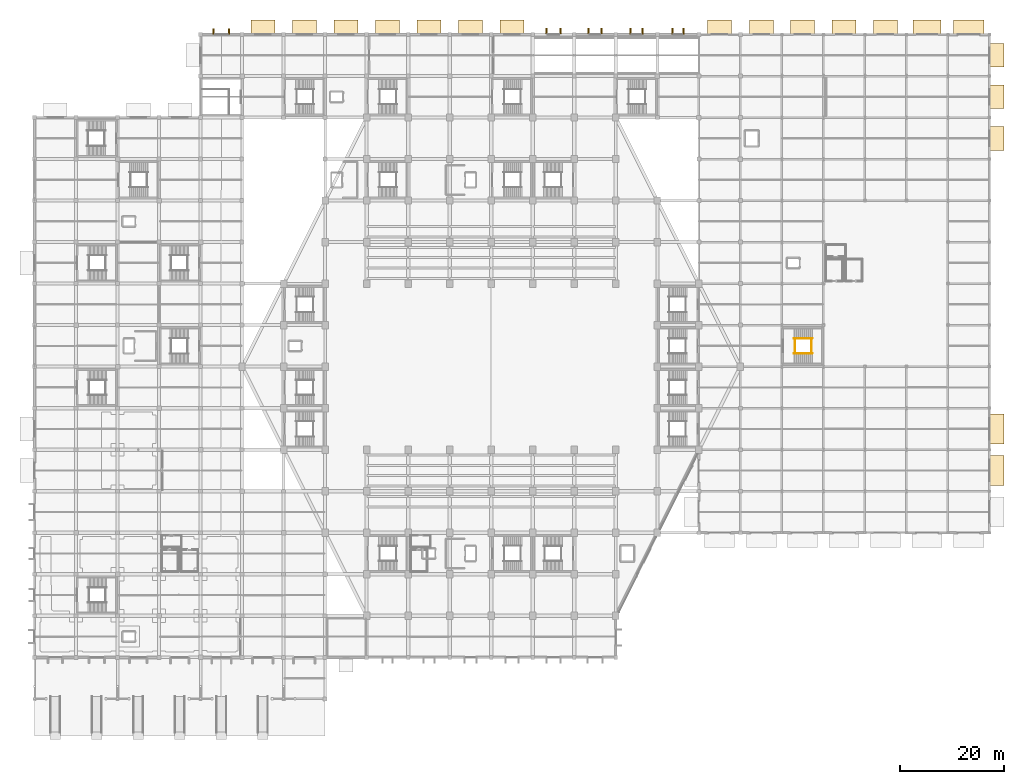
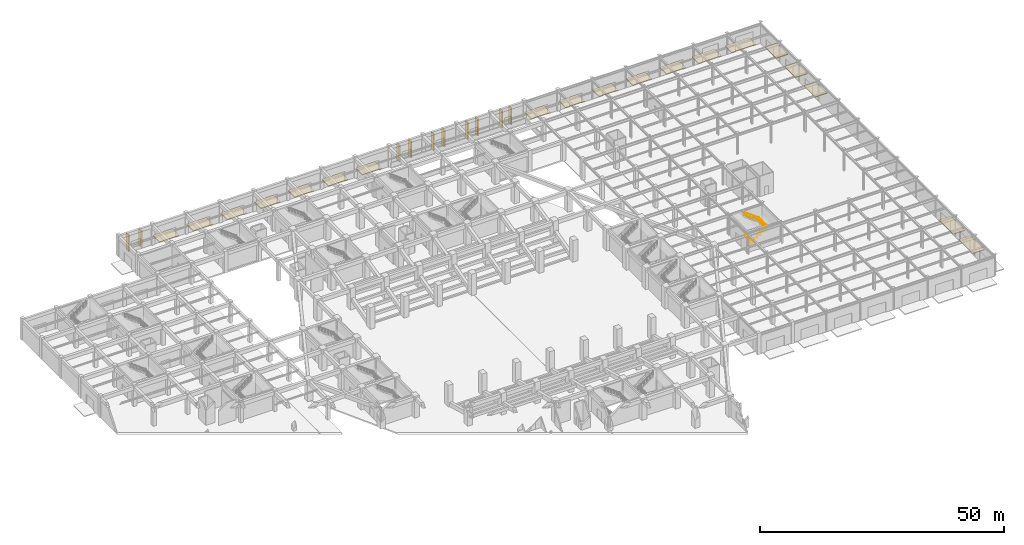
# One storey, part 39 of 39: 29 coverings, 4 railings.
"""IFC4 building model written with IfcOpenShell, lengths in metres."""

from ifc_helpers import new_model, si_unit, direction, frame, origin, origin_2d, place, context, subcontext, project, spatial, polyline, rectangle, circle, outline, extrude, material, layer, layer_set, type_object, element, save


model = new_model("IFC4")

# Units and contexts
model_context = context("Model", 3, precision=1e-05, world=origin(), true_north=direction((0.0, 1.0)))
body_context = subcontext(model_context, "Body", "Model", "MODEL_VIEW")
ifc_project = project(units=[si_unit("LENGTHUNIT", "METRE"), si_unit("AREAUNIT", "SQUARE_METRE"), si_unit("VOLUMEUNIT", "CUBIC_METRE"), si_unit("PLANEANGLEUNIT", "RADIAN"), si_unit("MASSUNIT", "GRAM", prefix="KILO")], contexts=[model_context])

# Site, building, storey
site_placement = place(None, origin())
site = spatial("IfcSite", under=ifc_project, at=site_placement, CompositionType="ELEMENT")
building_placement = place(site_placement, origin())
building = spatial("IfcBuilding", under=site, at=building_placement, Name="Tazarka Park Arena", CompositionType="ELEMENT")
storey_placement = place(building_placement, origin())
storey = spatial("IfcBuildingStorey", under=building, at=storey_placement, Name="L00", CompositionType="ELEMENT", Elevation=0.0)

# Coverings
ifc_material_1 = material(Name="Dark ribbed perforated bronze-charcoal aluminium mesh", Category="aluminium")
ifc_layer_1 = layer(ifc_material_1, 0.06005859375, Name="Dark ribbed perforated bronze-charcoal aluminium mesh")
ifc_layer_set_1 = layer_set([ifc_layer_1], Name="Dark ribbed perforated bronze-charcoal aluminium mesh")
covering_type_1 = type_object("IfcCoveringType", Name="CLD-01", PredefinedType="CLADDING", material=ifc_layer_set_1)
for number, where, z_axis, x_axis, name in (
    (1, (122.919921875, 128.635009765625, 0.0), (0.0, 0.0, 1.0), (1.0, 0.0, 0.0), "Window Reveal Brise-Soleil Fin L00-0001-1"),
    (2, (125.080078125, 128.635009765625, 0.0), (0.0, 0.0, 1.0), (1.0, 0.0, 0.0), "Window Reveal Brise-Soleil Fin L00-0001-2"),
    (3, (114.820068359375, 128.64501953125, 0.0), (0.0, 0.0, 1.0), (1.0, 0.0, 0.0), "Window Reveal Brise-Soleil Fin L00-0002-1"),
    (4, (117.179931640625, 128.64501953125, 0.0), (0.0, 0.0, 1.0), (1.0, 0.0, 0.0), "Window Reveal Brise-Soleil Fin L00-0002-2"),
    (5, (106.719970703125, 128.655029296875, 0.0), (0.0, 0.0, 1.0), (1.0, 0.0, 0.0), "Window Reveal Brise-Soleil Fin L00-0003-1"),
    (6, (109.280029296875, 128.655029296875, 0.0), (0.0, 0.0, 1.0), (1.0, 0.0, 0.0), "Window Reveal Brise-Soleil Fin L00-0003-2"),
    (7, (98.6201171875, 128.659912109375, 0.0), (0.0, 0.0, 1.0), (1.0, 0.0, 0.0), "Window Reveal Brise-Soleil Fin L00-0004-1"),
    (8, (101.3798828125, 128.659912109375, 0.0), (0.0, 0.0, 1.0), (1.0, 0.0, 0.0), "Window Reveal Brise-Soleil Fin L00-0004-2"),
    (9, (34.52001953125, 128.594970703125, 0.0), (0.0, 0.0, 1.0), (1.0, 0.0, 0.0), "Window Reveal Brise-Soleil Fin L00-0005-1"),
    (10, (37.47998046875, 128.594970703125, 0.0), (0.0, 0.0, 1.0), (1.0, 0.0, 0.0), "Window Reveal Brise-Soleil Fin L00-0005-2"),
):
    element("IfcCovering", number, at=place(storey_placement, frame(where, z_axis=z_axis, x_axis=x_axis)), inside=storey, type_object=covering_type_1, Name=name, PredefinedType="CLADDING", context=body_context, shape_type="SweptSolid", body=[
        extrude(rectangle(XDim=0.280029296875, YDim=1.10009765625, at=origin_2d()), origin(), (0.0, 0.0, 1.0), 4.199951171875),
    ])

# Railings
ifc_material_2 = material(Name="Brushed architectural stainless steel", Category="steel")
railing_type_1 = type_object("IfcRailingType", Name="HR-01", PredefinedType="HANDRAIL", material=ifc_material_2)
railing_1_placement = place(storey_placement, frame((146.31494140625, 66.550048828125, 0.0)))
element("IfcRailing", 11, at=railing_1_placement, inside=storey, type_object=railing_type_1, Name="Stair Handrail ST18-L00-F1", PredefinedType="HANDRAIL", context=body_context, shape_type="SweptSolid", body=[
    extrude(circle(Radius=0.02392578125, at=origin_2d()), frame((0.0, 0.0, 0.89599609375), z_axis=(0.797591487339, 0.0, 0.603197993468), x_axis=(0.0, 1.0, 0.0)), (0.0, 0.0, 1.0), 4.47607421875),
    extrude(circle(Radius=0.02099609375, at=origin_2d()), origin(), (0.0, 0.0, 1.0), 0.871826171875),
    extrude(circle(Radius=0.02099609375, at=origin_2d()), frame((0.714111328125, 0.0, 0.5400390625)), (0.0, 0.0, 1.0), 0.871826171875),
    extrude(circle(Radius=0.02099609375, at=origin_2d()), frame((1.427978515625, 0.0, 1.080078125)), (0.0, 0.0, 1.0), 0.871826171875),
    extrude(circle(Radius=0.02099609375, at=origin_2d()), frame((2.14208984375, 0.0, 1.619873046875)), (0.0, 0.0, 1.0), 0.871826171875),
    extrude(circle(Radius=0.02099609375, at=origin_2d()), frame((2.85595703125, 0.0, 2.159912109375)), (0.0, 0.0, 1.0), 0.871826171875),
    extrude(circle(Radius=0.02099609375, at=origin_2d()), frame((3.570068359375, 0.0, 2.699951171875)), (0.0, 0.0, 1.0), 0.871826171875),
])
railing_2_placement = place(storey_placement, frame((149.885009765625, 69.449951171875, 2.699951171875)))
element("IfcRailing", 12, at=railing_2_placement, inside=storey, type_object=railing_type_1, Name="Stair Handrail ST18-L00-F2", PredefinedType="HANDRAIL", context=body_context, shape_type="SweptSolid", body=[
    extrude(circle(Radius=0.02392578125, at=origin_2d()), frame((0.0, 0.0, 0.89599609375), z_axis=(-0.797591487339, 0.0, 0.603197993468), x_axis=(0.0, -1.0, 0.0)), (0.0, 0.0, 1.0), 4.47607421875),
    extrude(circle(Radius=0.02099609375, at=origin_2d()), origin(), (0.0, 0.0, 1.0), 0.871826171875),
    extrude(circle(Radius=0.02099609375, at=origin_2d()), frame((-0.714111328125, 0.0, 0.5400390625)), (0.0, 0.0, 1.0), 0.871826171875),
    extrude(circle(Radius=0.02099609375, at=origin_2d()), frame((-1.427978515625, 0.0, 1.080078125)), (0.0, 0.0, 1.0), 0.871826171875),
    extrude(circle(Radius=0.02099609375, at=origin_2d()), frame((-2.14208984375, 0.0, 1.619873046875)), (0.0, 0.0, 1.0), 0.871826171875),
    extrude(circle(Radius=0.02099609375, at=origin_2d()), frame((-2.85595703125, 0.0, 2.159912109375)), (0.0, 0.0, 1.0), 0.871826171875),
    extrude(circle(Radius=0.02099609375, at=origin_2d()), frame((-3.570068359375, 0.0, 2.699951171875)), (0.0, 0.0, 1.0), 0.871826171875),
])
ifc_material_3 = material(Name="Galvanised powder-coated architectural steel", Category="steel")
railing_type_2 = type_object("IfcRailingType", Name="IGR-01", PredefinedType="GUARDRAIL", material=ifc_material_3)
for number, where, name in (
    (13, (146.514892578125, 66.550048828125, 0.0), "Stair Well Guardrail ST18-L00"),
    (14, (149.68505859375, 66.550048828125, 2.699951171875), "Landing Guardrail ST18-L00-M"),
):
    element("IfcRailing", number, at=place(storey_placement, frame(where)), inside=storey, type_object=railing_type_2, Name=name, PredefinedType="GUARDRAIL", context=body_context, shape_type="SweptSolid", body=[
        extrude(circle(Radius=0.02392578125, at=origin_2d()), frame((0.0, 0.0, 1.1259765625), z_axis=(0.0, 1.0, 0.0), x_axis=(-1.0, 0.0, 0.0)), (0.0, 0.0, 1.0), 2.89990234375),
        extrude(circle(Radius=0.02099609375, at=origin_2d()), origin(), (0.0, 0.0, 1.0), 1.101806640625),
        extrude(circle(Radius=0.02099609375, at=origin_2d()), frame((0.0, 0.72509765625, 0.0)), (0.0, 0.0, 1.0), 1.101806640625),
        extrude(circle(Radius=0.02099609375, at=origin_2d()), frame((0.0, 1.449951171875, 0.0)), (0.0, 0.0, 1.0), 1.101806640625),
        extrude(circle(Radius=0.02099609375, at=origin_2d()), frame((0.0, 2.1748046875, 0.0)), (0.0, 0.0, 1.0), 1.101806640625),
        extrude(circle(Radius=0.02099609375, at=origin_2d()), frame((0.0, 2.89990234375, 0.0)), (0.0, 0.0, 1.0), 1.101806640625),
    ])

# Coverings
ifc_material_4 = material(Name="Standing-seam acoustic aluminium roofing membrane", Category="aluminium")
ifc_layer_2 = layer(ifc_material_4, 0.050048828125, Name="Standing-seam acoustic aluminium roofing membrane")
ifc_layer_set_2 = layer_set([ifc_layer_2], Name="Standing-seam acoustic aluminium roofing membrane")
covering_type_2 = type_object("IfcCoveringType", Name="RFG-01", PredefinedType="ROOFING", material=ifc_layer_set_2)
covering_1_placement = place(storey_placement, frame((0.0, 0.0, -0.199951171875)))
element("IfcCovering", 15, at=covering_1_placement, inside=storey, type_object=covering_type_2, Name="Threshold Paving E11", PredefinedType="ROOFING", context=body_context, shape_type="SweptSolid", body=[
    extrude(outline(polyline([(186.800048828125, 46.89990234375), (186.800048828125, 41.10009765625), (184.02001953125, 41.10009765625), (184.02001953125, 46.89990234375), (186.800048828125, 46.89990234375)])), origin(), (0.0, 0.0, 1.0), 0.199951171875),
])
covering_2_placement = place(storey_placement, frame((0.0, 0.0, -0.199951171875)))
element("IfcCovering", 16, at=covering_2_placement, inside=storey, type_object=covering_type_2, Name="Threshold Paving E12", PredefinedType="ROOFING", context=body_context, shape_type="SweptSolid", body=[
    extrude(outline(polyline([(186.800048828125, 54.89990234375), (186.800048828125, 49.10009765625), (184.02001953125, 49.10009765625), (184.02001953125, 54.89990234375), (186.800048828125, 54.89990234375)])), origin(), (0.0, 0.0, 1.0), 0.199951171875),
])
covering_3_placement = place(storey_placement, frame((0.0, 0.0, -0.199951171875)))
element("IfcCovering", 17, at=covering_3_placement, inside=storey, type_object=covering_type_2, Name="Threshold Paving G01", PredefinedType="ROOFING", context=body_context, shape_type="SweptSolid", body=[
    extrude(outline(polyline([(186.800048828125, 110.300048828125), (186.800048828125, 105.699951171875), (184.02001953125, 105.699951171875), (184.02001953125, 110.300048828125), (186.800048828125, 110.300048828125)])), origin(), (0.0, 0.0, 1.0), 0.199951171875),
])
covering_4_placement = place(storey_placement, frame((0.0, 0.0, -0.199951171875)))
element("IfcCovering", 18, at=covering_4_placement, inside=storey, type_object=covering_type_2, Name="Threshold Paving G02", PredefinedType="ROOFING", context=body_context, shape_type="SweptSolid", body=[
    extrude(outline(polyline([(186.800048828125, 118.300048828125), (186.800048828125, 113.699951171875), (184.02001953125, 113.699951171875), (184.02001953125, 118.300048828125), (186.800048828125, 118.300048828125)])), origin(), (0.0, 0.0, 1.0), 0.199951171875),
])
covering_5_placement = place(storey_placement, frame((0.0, 0.0, -0.199951171875)))
element("IfcCovering", 19, at=covering_5_placement, inside=storey, type_object=covering_type_2, Name="Threshold Paving G03", PredefinedType="ROOFING", context=body_context, shape_type="SweptSolid", body=[
    extrude(outline(polyline([(186.800048828125, 126.300048828125), (186.800048828125, 121.699951171875), (184.02001953125, 121.699951171875), (184.02001953125, 126.300048828125), (186.800048828125, 126.300048828125)])), origin(), (0.0, 0.0, 1.0), 0.199951171875),
])
covering_6_placement = place(storey_placement, frame((0.0, 0.0, -0.199951171875)))
element("IfcCovering", 20, at=covering_6_placement, inside=storey, type_object=covering_type_2, Name="Threshold Paving VS-DOCK-01", PredefinedType="ROOFING", context=body_context, shape_type="SweptSolid", body=[
    extrude(outline(polyline([(177.10009765625, 130.800048828125), (182.89990234375, 130.800048828125), (182.89990234375, 128.02001953125), (177.10009765625, 128.02001953125), (177.10009765625, 130.800048828125)])), origin(), (0.0, 0.0, 1.0), 0.199951171875),
])
covering_7_placement = place(storey_placement, frame((0.0, 0.0, -0.199951171875)))
element("IfcCovering", 21, at=covering_7_placement, inside=storey, type_object=covering_type_2, Name="Threshold Paving VS-DOCK-02", PredefinedType="ROOFING", context=body_context, shape_type="SweptSolid", body=[
    extrude(outline(polyline([(169.300048828125, 130.800048828125), (174.699951171875, 130.800048828125), (174.699951171875, 128.02001953125), (169.300048828125, 128.02001953125), (169.300048828125, 130.800048828125)])), origin(), (0.0, 0.0, 1.0), 0.199951171875),
])
covering_8_placement = place(storey_placement, frame((0.0, 0.0, -0.199951171875)))
element("IfcCovering", 22, at=covering_8_placement, inside=storey, type_object=covering_type_2, Name="Threshold Paving G04", PredefinedType="ROOFING", context=body_context, shape_type="SweptSolid", body=[
    extrude(outline(polyline([(161.699951171875, 130.800048828125), (166.300048828125, 130.800048828125), (166.300048828125, 128.02001953125), (161.699951171875, 128.02001953125), (161.699951171875, 130.800048828125)])), origin(), (0.0, 0.0, 1.0), 0.199951171875),
])
covering_9_placement = place(storey_placement, frame((0.0, 0.0, -0.199951171875)))
element("IfcCovering", 23, at=covering_9_placement, inside=storey, type_object=covering_type_2, Name="Threshold Paving G05", PredefinedType="ROOFING", context=body_context, shape_type="SweptSolid", body=[
    extrude(outline(polyline([(153.699951171875, 130.800048828125), (158.300048828125, 130.800048828125), (158.300048828125, 128.02001953125), (153.699951171875, 128.02001953125), (153.699951171875, 130.800048828125)])), origin(), (0.0, 0.0, 1.0), 0.199951171875),
])
covering_10_placement = place(storey_placement, frame((0.0, 0.0, -0.199951171875)))
element("IfcCovering", 24, at=covering_10_placement, inside=storey, type_object=covering_type_2, Name="Threshold Paving G06", PredefinedType="ROOFING", context=body_context, shape_type="SweptSolid", body=[
    extrude(outline(polyline([(145.699951171875, 130.800048828125), (150.300048828125, 130.800048828125), (150.300048828125, 128.02001953125), (145.699951171875, 128.02001953125), (145.699951171875, 130.800048828125)])), origin(), (0.0, 0.0, 1.0), 0.199951171875),
])
covering_11_placement = place(storey_placement, frame((0.0, 0.0, -0.199951171875)))
element("IfcCovering", 25, at=covering_11_placement, inside=storey, type_object=covering_type_2, Name="Threshold Paving G07", PredefinedType="ROOFING", context=body_context, shape_type="SweptSolid", body=[
    extrude(outline(polyline([(137.785888671875, 130.800048828125), (142.385986328125, 130.800048828125), (142.385986328125, 128.02001953125), (137.785888671875, 128.02001953125), (137.785888671875, 130.800048828125)])), origin(), (0.0, 0.0, 1.0), 0.199951171875),
])
covering_12_placement = place(storey_placement, frame((0.0, 0.0, -0.199951171875)))
element("IfcCovering", 26, at=covering_12_placement, inside=storey, type_object=covering_type_2, Name="Threshold Paving G08", PredefinedType="ROOFING", context=body_context, shape_type="SweptSolid", body=[
    extrude(outline(polyline([(129.699951171875, 130.800048828125), (134.300048828125, 130.800048828125), (134.300048828125, 128.02001953125), (129.699951171875, 128.02001953125), (129.699951171875, 130.800048828125)])), origin(), (0.0, 0.0, 1.0), 0.199951171875),
])
covering_13_placement = place(storey_placement, frame((0.0, 0.0, -0.199951171875)))
element("IfcCovering", 27, at=covering_13_placement, inside=storey, type_object=covering_type_2, Name="Threshold Paving G09", PredefinedType="ROOFING", context=body_context, shape_type="SweptSolid", body=[
    extrude(outline(polyline([(89.699951171875, 130.800048828125), (94.300048828125, 130.800048828125), (94.300048828125, 128.02001953125), (89.699951171875, 128.02001953125), (89.699951171875, 130.800048828125)])), origin(), (0.0, 0.0, 1.0), 0.199951171875),
])
covering_14_placement = place(storey_placement, frame((0.0, 0.0, -0.199951171875)))
element("IfcCovering", 28, at=covering_14_placement, inside=storey, type_object=covering_type_2, Name="Threshold Paving G10", PredefinedType="ROOFING", context=body_context, shape_type="SweptSolid", body=[
    extrude(outline(polyline([(81.699951171875, 130.800048828125), (86.300048828125, 130.800048828125), (86.300048828125, 128.02001953125), (81.699951171875, 128.02001953125), (81.699951171875, 130.800048828125)])), origin(), (0.0, 0.0, 1.0), 0.199951171875),
])
covering_15_placement = place(storey_placement, frame((0.0, 0.0, -0.199951171875)))
element("IfcCovering", 29, at=covering_15_placement, inside=storey, type_object=covering_type_2, Name="Threshold Paving G11", PredefinedType="ROOFING", context=body_context, shape_type="SweptSolid", body=[
    extrude(outline(polyline([(73.699951171875, 130.800048828125), (78.300048828125, 130.800048828125), (78.300048828125, 128.02001953125), (73.699951171875, 128.02001953125), (73.699951171875, 130.800048828125)])), origin(), (0.0, 0.0, 1.0), 0.199951171875),
])
covering_16_placement = place(storey_placement, frame((0.0, 0.0, -0.199951171875)))
element("IfcCovering", 30, at=covering_16_placement, inside=storey, type_object=covering_type_2, Name="Threshold Paving G12", PredefinedType="ROOFING", context=body_context, shape_type="SweptSolid", body=[
    extrude(outline(polyline([(65.699951171875, 130.800048828125), (70.300048828125, 130.800048828125), (70.300048828125, 128.02001953125), (65.699951171875, 128.02001953125), (65.699951171875, 130.800048828125)])), origin(), (0.0, 0.0, 1.0), 0.199951171875),
])
covering_17_placement = place(storey_placement, frame((0.0, 0.0, -0.199951171875)))
element("IfcCovering", 31, at=covering_17_placement, inside=storey, type_object=covering_type_2, Name="Threshold Paving G13", PredefinedType="ROOFING", context=body_context, shape_type="SweptSolid", body=[
    extrude(outline(polyline([(57.699951171875, 130.800048828125), (62.300048828125, 130.800048828125), (62.300048828125, 128.02001953125), (57.699951171875, 128.02001953125), (57.699951171875, 130.800048828125)])), origin(), (0.0, 0.0, 1.0), 0.199951171875),
])
covering_18_placement = place(storey_placement, frame((0.0, 0.0, -0.199951171875)))
element("IfcCovering", 32, at=covering_18_placement, inside=storey, type_object=covering_type_2, Name="Threshold Paving G14", PredefinedType="ROOFING", context=body_context, shape_type="SweptSolid", body=[
    extrude(outline(polyline([(49.699951171875, 130.800048828125), (54.300048828125, 130.800048828125), (54.300048828125, 128.02001953125), (49.699951171875, 128.02001953125), (49.699951171875, 130.800048828125)])), origin(), (0.0, 0.0, 1.0), 0.199951171875),
])
covering_19_placement = place(storey_placement, frame((0.0, 0.0, -0.199951171875)))
element("IfcCovering", 33, at=covering_19_placement, inside=storey, type_object=covering_type_2, Name="Threshold Paving G15", PredefinedType="ROOFING", context=body_context, shape_type="SweptSolid", body=[
    extrude(outline(polyline([(41.699951171875, 130.800048828125), (46.300048828125, 130.800048828125), (46.300048828125, 128.02001953125), (41.699951171875, 128.02001953125), (41.699951171875, 130.800048828125)])), origin(), (0.0, 0.0, 1.0), 0.199951171875),
])

save(model, "model.ifc")
